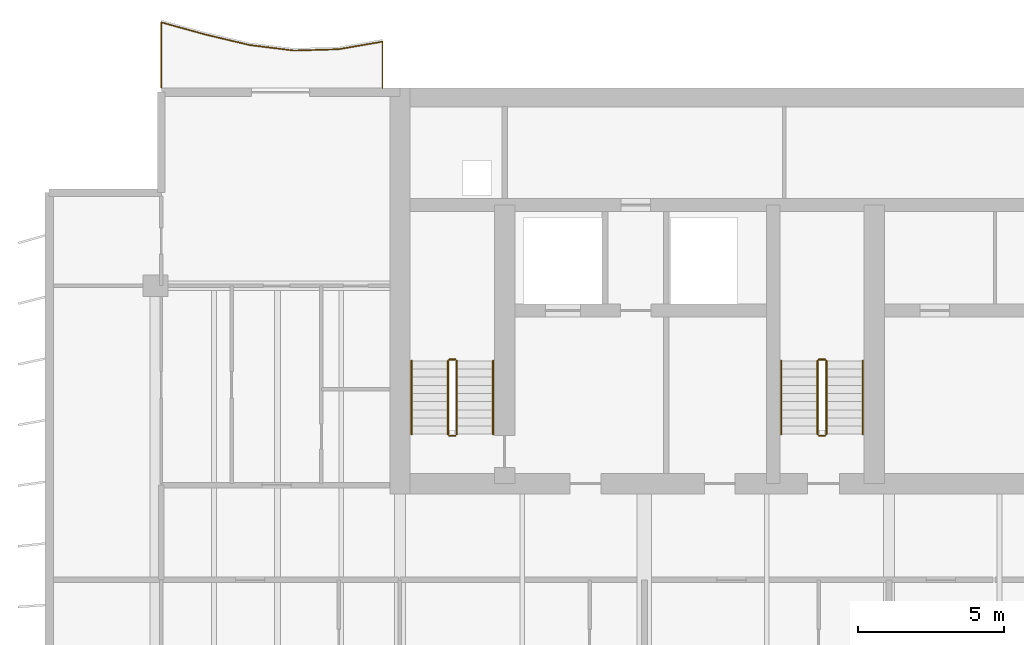
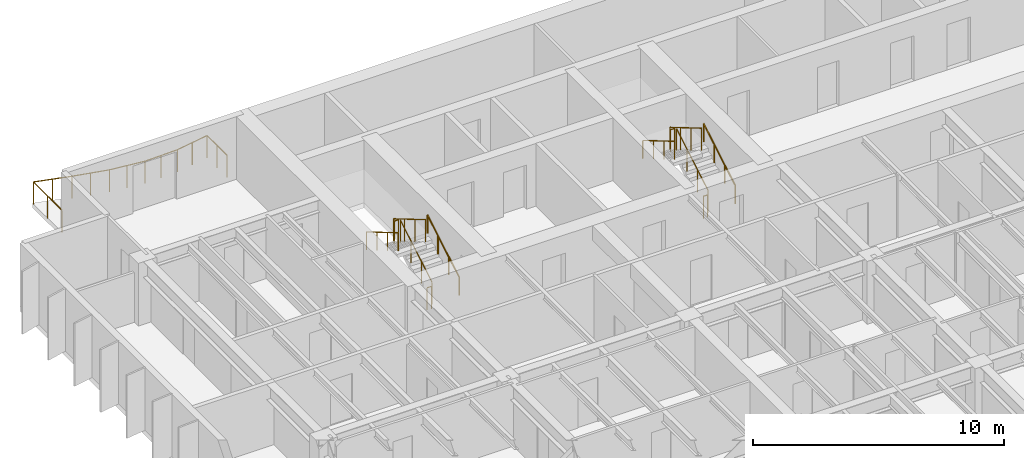
# One storey, part 17 of 19: 13 railings.
"""IFC4 building model written with IfcOpenShell, lengths in metres."""

import ifcopenshell
import ifcopenshell.guid

model = None  # the IFC model being written
_history = None  # IfcOwnerHistory: only IFC2X3 demands one
_inside = {}  # id of a spatial element -> (the spatial element, [elements in it])
_under = {}  # id of a project, library or spatial element -> (it, [spatial elements below it])
_declared = {}  # id of a project -> (the project, [libraries it declares])
_typed = {}  # id of a type object -> (the type object, [elements of that type])
_made_of = {}  # id of a material, layer set ... -> (it, [elements and type objects made of it])


def new_model(schema):
    """Start an empty IFC model of exactly this schema.

    Asked for "IFC4X3", IfcOpenShell would pick the latest addendum, in which some entities
    have other attributes; the version numbers below select the first issue.
    IFC2X3 requires an IfcOwnerHistory on every rooted entity: one is made here for all.
    """
    global model, _history
    if schema == "IFC4X3":
        model = ifcopenshell.file(schema_version=(4, 3, 0, 0))
    else:
        model = ifcopenshell.file(schema=schema)
    _inside.clear()
    _under.clear()
    _declared.clear()
    _typed.clear()
    _made_of.clear()
    _history = None
    if model.schema == "IFC2X3":
        org = make("IfcOrganization", Name="unknown")
        user = make(
            "IfcPersonAndOrganization",
            ThePerson=make("IfcPerson", FamilyName="unknown"),
            TheOrganization=org,
        )
        app = make(
            "IfcApplication",
            ApplicationDeveloper=org,
            Version="unknown",
            ApplicationFullName="unknown",
            ApplicationIdentifier="unknown",
        )
        _history = make(
            "IfcOwnerHistory",
            OwningUser=user,
            OwningApplication=app,
            ChangeAction="ADDED",
            CreationDate=0,
        )
    return model


def make(cls, **values):
    """One entity of the class cls with the attributes given. An attribute that is None is left unset."""
    return model.create_entity(
        cls, **{name: value for name, value in values.items() if value is not None}
    )


def rooted(cls, **values):
    """An entity with a GlobalId (a new one), such as an element, a storey or a relation."""
    return make(cls, GlobalId=ifcopenshell.guid.new(), OwnerHistory=_history, **values)


def si_unit(unit_type, name, prefix=None):
    """IfcSIUnit, for example si_unit("LENGTHUNIT", "METRE", prefix="MILLI")."""
    return make("IfcSIUnit", UnitType=unit_type, Prefix=prefix, Name=name)


def assignment(units):
    """IfcUnitAssignment: the units of a project."""
    return None if units is None else make("IfcUnitAssignment", Units=units)


def point(xyz):
    """IfcCartesianPoint."""
    return None if xyz is None else make("IfcCartesianPoint", Coordinates=xyz)


def direction(xyz):
    """IfcDirection."""
    return None if xyz is None else make("IfcDirection", DirectionRatios=xyz)


def frame(location, z_axis=None, x_axis=None):
    """IfcAxis2Placement3D, a coordinate frame: its origin and axes. An axis left out is left unset."""
    return make(
        "IfcAxis2Placement3D",
        Location=point(location),
        Axis=direction(z_axis),
        RefDirection=direction(x_axis),
    )


def frame_2d(location, x_axis=None):
    """IfcAxis2Placement2D, a coordinate frame in the plane: its origin and x axis."""
    return make(
        "IfcAxis2Placement2D", Location=point(location), RefDirection=direction(x_axis)
    )


def origin():
    """The frame at (0, 0, 0) with its axes left unset."""
    return frame((0.0, 0.0, 0.0))


def origin_2d():
    """The frame at (0, 0) in the plane with its x axis left unset."""
    return frame_2d((0.0, 0.0))


def place(relative_to, where):
    """IfcLocalPlacement: puts the frame where relative to a parent placement (None: the world)."""
    return make(
        "IfcLocalPlacement", PlacementRelTo=relative_to, RelativePlacement=where
    )


def context(
    kind, dimensions, precision=None, world=None, true_north=None, identifier=None
):
    """IfcGeometricRepresentationContext, for example the 3D "Model" context."""
    return make(
        "IfcGeometricRepresentationContext",
        ContextIdentifier=identifier,
        ContextType=kind,
        CoordinateSpaceDimension=dimensions,
        Precision=precision,
        WorldCoordinateSystem=world,
        TrueNorth=true_north,
    )


def subcontext(parent, identifier, kind, view, scale=None):
    """IfcGeometricRepresentationSubContext, for example "Body" below "Model"."""
    return make(
        "IfcGeometricRepresentationSubContext",
        ContextIdentifier=identifier,
        ContextType=kind,
        ParentContext=parent,
        TargetScale=scale,
        TargetView=view,
    )


def project(units=None, contexts=None):
    """IfcProject with its units and contexts."""
    return rooted(
        "IfcProject",
        Name="project",
        RepresentationContexts=contexts,
        UnitsInContext=assignment(units),
    )


def spatial(cls, under=None, at=None, **own):
    """A site, building, storey or space (cls), placed at a placement, below another one or the project."""
    s = rooted(cls, ObjectPlacement=at, **own)
    if under is not None:
        _under.setdefault(under.id(), (under, []))[1].append(s)
    return s


def profile(cls, at=None, kind="AREA", **sizes):
    """A parametric profile (cls). Its sizes go by their IFC names, for example OverallWidth=200.0."""
    return make(cls, ProfileType=kind, Position=at, **sizes)


def circle(**sizes):
    """IfcCircleProfileDef."""
    return profile("IfcCircleProfileDef", **sizes)


def extrude(swept, where, along, depth):
    """IfcExtrudedAreaSolid: the profile swept, set in the frame where, extruded along a direction by depth."""
    return make(
        "IfcExtrudedAreaSolid",
        SweptArea=swept,
        Position=where,
        ExtrudedDirection=direction(along),
        Depth=depth,
    )


def shape(context_of_items, identifier, shape_type, items):
    """IfcShapeRepresentation: the items that make up one representation, for example the "Body"."""
    return make(
        "IfcShapeRepresentation",
        ContextOfItems=context_of_items,
        RepresentationIdentifier=identifier,
        RepresentationType=shape_type,
        Items=items,
    )


def material(Name=None, Category=None):
    """IfcMaterial."""
    return make("IfcMaterial", Name=Name, Category=Category)


def made_of(thing, what):
    """Note that an element or type object is made of a material, layer set ...; save() writes the relation."""
    if what is not None:
        _made_of.setdefault(what.id(), (what, []))[1].append(thing)
    return thing


def type_object(cls, material=None, **own):
    """A type object (cls), such as IfcWallType, which elements share."""
    return made_of(rooted(cls, **own), material)


def element(
    cls,
    number,
    at=None,
    inside=None,
    cuts=None,
    type_object=None,
    material=None,
    context=None,
    identifier="Body",
    shape_type=None,
    held_by="IfcProductDefinitionShape",
    body=None,
    shapes=None,
    **own,
):
    """One element of the class cls, such as IfcWall. Its Tag is "e" and its number.

    at: its placement. inside: the storey or other place that contains it. cuts: it is an
    opening in that element (IfcRelVoidsElement). A single representation is given by context,
    identifier, shape_type and body (its items); several are given by shapes. held_by: the class
    of the entity that holds the representations. save() writes the other relations.
    """
    e = rooted(cls, Tag="e%d" % number, ObjectPlacement=at, **own)
    if body is not None:
        shapes = [shape(context, identifier, shape_type, body)]
    if shapes is not None:
        e.Representation = make(held_by, Representations=shapes)
    if inside is not None:
        _inside.setdefault(inside.id(), (inside, []))[1].append(e)
    if cuts is not None:
        rooted(
            "IfcRelVoidsElement", RelatingBuildingElement=cuts, RelatedOpeningElement=e
        )
    if type_object is not None:
        _typed.setdefault(type_object.id(), (type_object, []))[1].append(e)
    return made_of(e, material)


def aggregate(whole, parts):
    """IfcRelAggregates: a whole, such as a stair, and the parts it consists of."""
    return rooted("IfcRelAggregates", RelatingObject=whole, RelatedObjects=parts)


def save(model, path):
    """Write the relations noted so far, then the file.

    IfcRelAggregates (storeys below a building ...), IfcRelContainedInSpatialStructure (elements
    in a storey), IfcRelDefinesByType, IfcRelAssociatesMaterial and IfcRelDeclares: one each for
    every whole, place, type object, material and project.
    """
    for whole, parts in _under.values():
        aggregate(whole, parts)
    for where, things in _inside.values():
        rooted(
            "IfcRelContainedInSpatialStructure",
            RelatedElements=things,
            RelatingStructure=where,
        )
    for kind, things in _typed.values():
        rooted("IfcRelDefinesByType", RelatedObjects=things, RelatingType=kind)
    for what, things in _made_of.values():
        rooted("IfcRelAssociatesMaterial", RelatedObjects=things, RelatingMaterial=what)
    for by, libraries in _declared.values():
        rooted("IfcRelDeclares", RelatingContext=by, RelatedDefinitions=libraries)
    model.write(path)


model = new_model("IFC4")

# Units and contexts
model_context = context("Model", 3, precision=1e-05, world=origin(), true_north=direction((0.0, 1.0)))
body_context = subcontext(model_context, "Body", "Model", "MODEL_VIEW")
ifc_project = project(units=[si_unit("LENGTHUNIT", "METRE"), si_unit("AREAUNIT", "SQUARE_METRE"), si_unit("VOLUMEUNIT", "CUBIC_METRE"), si_unit("PLANEANGLEUNIT", "RADIAN"), si_unit("MASSUNIT", "GRAM", prefix="KILO")], contexts=[model_context])

# Site, building, storey
site_placement = place(None, origin())
site = spatial("IfcSite", under=ifc_project, at=site_placement, CompositionType="ELEMENT")
building_placement = place(site_placement, origin())
building = spatial("IfcBuilding", under=site, at=building_placement, Name="Caelmar Bay Residences", CompositionType="ELEMENT")
storey_placement = place(building_placement, frame((0.0, 0.0, 163.800048828125)))
storey = spatial("IfcBuildingStorey", under=building, at=storey_placement, Name="L45", CompositionType="ELEMENT", Elevation=163.800048828125)

# Railings
ifc_material_1 = material(Name="Anodised bronze handrail with laminated hurricane glass infill", Category="glass")
railing_type_1 = type_object("IfcRailingType", Name="RL-BAL-1100", PredefinedType="BALUSTRADE", material=ifc_material_1)
railing_1_placement = place(storey_placement, frame((17.699951171875, 50.60009765625, 0.0)))
element("IfcRailing", 1, at=railing_1_placement, inside=storey, type_object=railing_type_1, Name="L45 north_west Balcony Balustrade", PredefinedType="BALUSTRADE", context=body_context, shape_type="SweptSolid", body=[
    extrude(circle(Radius=0.02392578125, at=origin_2d()), frame((0.0, 0.0, 1.076171875), z_axis=(0.0, 1.0, 0.0), x_axis=(-1.0, 0.0, 0.0)), (0.0, 0.0, 1.0), 1.588134765625),
    extrude(circle(Radius=0.02392578125, at=origin_2d()), frame((0.0, 1.588134765625, 1.076171875), z_axis=(-0.985445490472, -0.169991721293, 0.0), x_axis=(0.169991721293, -0.985445490472, 0.0)), (0.0, 0.0, 1.0), 1.54248046875),
    extrude(circle(Radius=0.02392578125, at=origin_2d()), frame((-1.52001953125, 1.325927734375, 1.076171875), z_axis=(-0.999582338318, -0.028898943286, 0.0), x_axis=(0.028898943286, -0.999582338318, 0.0)), (0.0, 0.0, 1.0), 1.520751953125),
    extrude(circle(Radius=0.02392578125, at=origin_2d()), frame((-3.0400390625, 1.281982421875, 1.076171875), z_axis=(-0.992419457445, 0.122896787936, 0.0), x_axis=(-0.122896787936, -0.992419457445, 0.0)), (0.0, 0.0, 1.0), 1.53173828125),
    extrude(circle(Radius=0.02392578125, at=origin_2d()), frame((-4.56005859375, 1.47021484375, 1.076171875), z_axis=(-0.972916782402, 0.231155649987, 0.0), x_axis=(-0.231155649987, -0.972916782402, 0.0)), (0.0, 0.0, 1.0), 1.56201171875),
    extrude(circle(Radius=0.02392578125, at=origin_2d()), frame((-6.079833984375, 1.831298828125, 1.076171875), z_axis=(-0.96381450531, 0.266573815956, 0.0), x_axis=(-0.266573815956, -0.96381450531, 0.0)), (0.0, 0.0, 1.0), 1.5771484375),
    extrude(circle(Radius=0.02392578125, at=origin_2d()), frame((-7.599853515625, 2.251708984375, 1.076171875), z_axis=(0.0, -1.0, 0.0), x_axis=(1.0, 0.0, 0.0)), (0.0, 0.0, 1.0), 2.251708984375),
    extrude(circle(Radius=0.02099609375, at=origin_2d()), origin(), (0.0, 0.0, 1.0), 1.052001953125),
    extrude(circle(Radius=0.02099609375, at=origin_2d()), frame((0.0, 0.7939453125, 0.0)), (0.0, 0.0, 1.0), 1.052001953125),
    extrude(circle(Radius=0.02099609375, at=origin_2d()), frame((0.0, 1.588134765625, 0.0)), (0.0, 0.0, 1.0), 1.052001953125),
    extrude(circle(Radius=0.02099609375, at=origin_2d()), frame((-0.760009765625, 1.45703125, 0.0)), (0.0, 0.0, 1.0), 1.052001953125),
    extrude(circle(Radius=0.02099609375, at=origin_2d()), frame((-1.52001953125, 1.325927734375, 0.0)), (0.0, 0.0, 1.0), 1.052001953125),
    extrude(circle(Radius=0.02099609375, at=origin_2d()), frame((-2.280029296875, 1.303955078125, 0.0)), (0.0, 0.0, 1.0), 1.052001953125),
    extrude(circle(Radius=0.02099609375, at=origin_2d()), frame((-3.0400390625, 1.281982421875, 0.0)), (0.0, 0.0, 1.0), 1.052001953125),
    extrude(circle(Radius=0.02099609375, at=origin_2d()), frame((-3.800048828125, 1.3759765625, 0.0)), (0.0, 0.0, 1.0), 1.052001953125),
    extrude(circle(Radius=0.02099609375, at=origin_2d()), frame((-4.56005859375, 1.47021484375, 0.0)), (0.0, 0.0, 1.0), 1.052001953125),
    extrude(circle(Radius=0.02099609375, at=origin_2d()), frame((-5.31982421875, 1.65087890625, 0.0)), (0.0, 0.0, 1.0), 1.052001953125),
    extrude(circle(Radius=0.02099609375, at=origin_2d()), frame((-6.079833984375, 1.831298828125, 0.0)), (0.0, 0.0, 1.0), 1.052001953125),
    extrude(circle(Radius=0.02099609375, at=origin_2d()), frame((-6.83984375, 2.04150390625, 0.0)), (0.0, 0.0, 1.0), 1.052001953125),
    extrude(circle(Radius=0.02099609375, at=origin_2d()), frame((-7.599853515625, 2.251708984375, 0.0)), (0.0, 0.0, 1.0), 1.052001953125),
    extrude(circle(Radius=0.02099609375, at=origin_2d()), frame((-7.599853515625, 1.1259765625, 0.0)), (0.0, 0.0, 1.0), 1.052001953125),
    extrude(circle(Radius=0.02099609375, at=origin_2d()), frame((-7.599853515625, 0.0, 0.0)), (0.0, 0.0, 1.0), 1.052001953125),
])
ifc_material_2 = material(Name="Painted galvanized steel stair guard 1100 mm", Category="steel")
railing_type_2 = type_object("IfcRailingType", Name="RL-GRD-1100", PredefinedType="GUARDRAIL", material=ifc_material_2)
railing_2_placement = place(storey_placement, frame((20.25, 38.699951171875, 0.1650390625)))
element("IfcRailing", 2, at=railing_2_placement, inside=storey, type_object=railing_type_2, Name="L45 ST1 stair guard 1", PredefinedType="GUARDRAIL", context=body_context, shape_type="SweptSolid", body=[
    extrude(circle(Radius=0.02392578125, at=origin_2d()), frame((0.0, 0.0, 1.076171875), z_axis=(0.0, 0.861560626758, 0.507654692109), x_axis=(-1.0, 0.0, 0.0)), (0.0, 0.0, 1.0), 2.925048828125),
    extrude(circle(Radius=0.02099609375, at=origin_2d()), origin(), (0.0, 0.0, 1.0), 1.052001953125),
    extrude(circle(Radius=0.02099609375, at=origin_2d()), frame((0.0, 0.840087890625, 0.494873046875)), (0.0, 0.0, 1.0), 1.052001953125),
    extrude(circle(Radius=0.02099609375, at=origin_2d()), frame((0.0, 1.679931640625, 0.989990234375)), (0.0, 0.0, 1.0), 1.052001953125),
    extrude(circle(Radius=0.02099609375, at=origin_2d()), frame((0.0, 2.52001953125, 1.48486328125)), (0.0, 0.0, 1.0), 1.052001953125),
])
railing_3_placement = place(storey_placement, frame((20.199951171875, 41.27001953125, 1.64990234375)))
element("IfcRailing", 3, at=railing_3_placement, inside=storey, type_object=railing_type_2, Name="L45 ST1 stair guard 2", PredefinedType="GUARDRAIL", context=body_context, shape_type="SweptSolid", body=[
    extrude(circle(Radius=0.02392578125, at=origin_2d()), frame((0.0, 0.0, 1.076171875), z_axis=(-1.0, 0.0, 0.0), x_axis=(0.0, -1.0, 0.0)), (0.0, 0.0, 1.0), 0.199951171875),
    extrude(circle(Radius=0.02099609375, at=origin_2d()), origin(), (0.0, 0.0, 1.0), 1.052001953125),
    extrude(circle(Radius=0.02099609375, at=origin_2d()), frame((-0.199951171875, 0.0, 0.0)), (0.0, 0.0, 1.0), 1.052001953125),
])
railing_4_placement = place(storey_placement, frame((19.949951171875, 41.219970703125, 1.81494140625)))
element("IfcRailing", 4, at=railing_4_placement, inside=storey, type_object=railing_type_2, Name="L45 ST1 stair guard 3", PredefinedType="GUARDRAIL", context=body_context, shape_type="SweptSolid", body=[
    extrude(circle(Radius=0.02392578125, at=origin_2d()), frame((0.0, 0.0, 1.076171875), z_axis=(0.0, -0.86152411907, 0.507716645641), x_axis=(1.0, 0.0, 0.0)), (0.0, 0.0, 1.0), 2.925048828125),
    extrude(circle(Radius=0.02099609375, at=origin_2d()), origin(), (0.0, 0.0, 1.0), 1.052001953125),
    extrude(circle(Radius=0.02099609375, at=origin_2d()), frame((0.0, -0.840087890625, 0.4951171875)), (0.0, 0.0, 1.0), 1.052001953125),
    extrude(circle(Radius=0.02099609375, at=origin_2d()), frame((0.0, -1.679931640625, 0.989990234375)), (0.0, 0.0, 1.0), 1.052001953125),
    extrude(circle(Radius=0.02099609375, at=origin_2d()), frame((0.0, -2.52001953125, 1.485107421875)), (0.0, 0.0, 1.0), 1.052001953125),
])
railing_5_placement = place(storey_placement, frame((20.199951171875, 38.64990234375, 0.0)))
element("IfcRailing", 5, at=railing_5_placement, inside=storey, type_object=railing_type_2, Name="L45 ST1 stair guard 4", PredefinedType="GUARDRAIL", context=body_context, shape_type="SweptSolid", body=[
    extrude(circle(Radius=0.02392578125, at=origin_2d()), frame((0.0, 0.0, 1.076171875), z_axis=(-1.0, 0.0, 0.0), x_axis=(0.0, -1.0, 0.0)), (0.0, 0.0, 1.0), 0.199951171875),
    extrude(circle(Radius=0.02099609375, at=origin_2d()), origin(), (0.0, 0.0, 1.0), 1.052001953125),
    extrude(circle(Radius=0.02099609375, at=origin_2d()), frame((-0.199951171875, 0.0, 0.0)), (0.0, 0.0, 1.0), 1.052001953125),
])
railing_6_placement = place(storey_placement, frame((32.949951171875, 38.699951171875, 0.1650390625)))
element("IfcRailing", 6, at=railing_6_placement, inside=storey, type_object=railing_type_2, Name="L45 ST3 stair guard 1", PredefinedType="GUARDRAIL", context=body_context, shape_type="SweptSolid", body=[
    extrude(circle(Radius=0.02392578125, at=origin_2d()), frame((0.0, 0.0, 1.076171875), z_axis=(0.0, 0.861560626758, 0.507654692109), x_axis=(-1.0, 0.0, 0.0)), (0.0, 0.0, 1.0), 2.925048828125),
    extrude(circle(Radius=0.02099609375, at=origin_2d()), origin(), (0.0, 0.0, 1.0), 1.052001953125),
    extrude(circle(Radius=0.02099609375, at=origin_2d()), frame((0.0, 0.840087890625, 0.494873046875)), (0.0, 0.0, 1.0), 1.052001953125),
    extrude(circle(Radius=0.02099609375, at=origin_2d()), frame((0.0, 1.679931640625, 0.989990234375)), (0.0, 0.0, 1.0), 1.052001953125),
    extrude(circle(Radius=0.02099609375, at=origin_2d()), frame((0.0, 2.52001953125, 1.48486328125)), (0.0, 0.0, 1.0), 1.052001953125),
])
railing_7_placement = place(storey_placement, frame((32.89990234375, 41.27001953125, 1.64990234375)))
element("IfcRailing", 7, at=railing_7_placement, inside=storey, type_object=railing_type_2, Name="L45 ST3 stair guard 2", PredefinedType="GUARDRAIL", context=body_context, shape_type="SweptSolid", body=[
    extrude(circle(Radius=0.02392578125, at=origin_2d()), frame((0.0, 0.0, 1.076171875), z_axis=(-1.0, 0.0, 0.0), x_axis=(0.0, -1.0, 0.0)), (0.0, 0.0, 1.0), 0.199951171875),
    extrude(circle(Radius=0.02099609375, at=origin_2d()), origin(), (0.0, 0.0, 1.0), 1.052001953125),
    extrude(circle(Radius=0.02099609375, at=origin_2d()), frame((-0.199951171875, 0.0, 0.0)), (0.0, 0.0, 1.0), 1.052001953125),
])
railing_8_placement = place(storey_placement, frame((32.64990234375, 41.219970703125, 1.81494140625)))
element("IfcRailing", 8, at=railing_8_placement, inside=storey, type_object=railing_type_2, Name="L45 ST3 stair guard 3", PredefinedType="GUARDRAIL", context=body_context, shape_type="SweptSolid", body=[
    extrude(circle(Radius=0.02392578125, at=origin_2d()), frame((0.0, 0.0, 1.076171875), z_axis=(0.0, -0.86152411907, 0.507716645641), x_axis=(1.0, 0.0, 0.0)), (0.0, 0.0, 1.0), 2.925048828125),
    extrude(circle(Radius=0.02099609375, at=origin_2d()), origin(), (0.0, 0.0, 1.0), 1.052001953125),
    extrude(circle(Radius=0.02099609375, at=origin_2d()), frame((0.0, -0.840087890625, 0.4951171875)), (0.0, 0.0, 1.0), 1.052001953125),
    extrude(circle(Radius=0.02099609375, at=origin_2d()), frame((0.0, -1.679931640625, 0.989990234375)), (0.0, 0.0, 1.0), 1.052001953125),
    extrude(circle(Radius=0.02099609375, at=origin_2d()), frame((0.0, -2.52001953125, 1.485107421875)), (0.0, 0.0, 1.0), 1.052001953125),
])
railing_9_placement = place(storey_placement, frame((32.89990234375, 38.64990234375, 0.0)))
element("IfcRailing", 9, at=railing_9_placement, inside=storey, type_object=railing_type_2, Name="L45 ST3 stair guard 4", PredefinedType="GUARDRAIL", context=body_context, shape_type="SweptSolid", body=[
    extrude(circle(Radius=0.02392578125, at=origin_2d()), frame((0.0, 0.0, 1.076171875), z_axis=(-1.0, 0.0, 0.0), x_axis=(0.0, -1.0, 0.0)), (0.0, 0.0, 1.0), 0.199951171875),
    extrude(circle(Radius=0.02099609375, at=origin_2d()), origin(), (0.0, 0.0, 1.0), 1.052001953125),
    extrude(circle(Radius=0.02099609375, at=origin_2d()), frame((-0.199951171875, 0.0, 0.0)), (0.0, 0.0, 1.0), 1.052001953125),
])
ifc_material_3 = material(Name="Brushed bronze stainless-steel tubular handrail 900 mm", Category="steel")
railing_type_3 = type_object("IfcRailingType", Name="RL-HND-900", PredefinedType="HANDRAIL", material=ifc_material_3)
railing_10_placement = place(storey_placement, frame((21.5, 38.699951171875, 0.1650390625)))
element("IfcRailing", 10, at=railing_10_placement, inside=storey, type_object=railing_type_3, Name="L45 ST1 stair handrail 1", PredefinedType="HANDRAIL", context=body_context, shape_type="SweptSolid", body=[
    extrude(circle(Radius=0.02392578125, at=origin_2d()), frame((0.0, 0.0, 0.8759765625), z_axis=(0.0, 0.861560626758, 0.507654692109), x_axis=(-1.0, 0.0, 0.0)), (0.0, 0.0, 1.0), 2.925048828125),
    extrude(circle(Radius=0.02099609375, at=origin_2d()), origin(), (0.0, 0.0, 1.0), 0.851806640625),
    extrude(circle(Radius=0.02099609375, at=origin_2d()), frame((0.0, 0.840087890625, 0.494873046875)), (0.0, 0.0, 1.0), 0.851806640625),
    extrude(circle(Radius=0.02099609375, at=origin_2d()), frame((0.0, 1.679931640625, 0.989990234375)), (0.0, 0.0, 1.0), 0.851806640625),
    extrude(circle(Radius=0.02099609375, at=origin_2d()), frame((0.0, 2.52001953125, 1.48486328125)), (0.0, 0.0, 1.0), 0.851806640625),
])
railing_11_placement = place(storey_placement, frame((18.699951171875, 41.219970703125, 1.81494140625)))
element("IfcRailing", 11, at=railing_11_placement, inside=storey, type_object=railing_type_3, Name="L45 ST1 stair handrail 2", PredefinedType="HANDRAIL", context=body_context, shape_type="SweptSolid", body=[
    extrude(circle(Radius=0.02392578125, at=origin_2d()), frame((0.0, 0.0, 0.8759765625), z_axis=(0.0, -0.86152411907, 0.507716645641), x_axis=(1.0, 0.0, 0.0)), (0.0, 0.0, 1.0), 2.925048828125),
    extrude(circle(Radius=0.02099609375, at=origin_2d()), origin(), (0.0, 0.0, 1.0), 0.851806640625),
    extrude(circle(Radius=0.02099609375, at=origin_2d()), frame((0.0, -0.840087890625, 0.4951171875)), (0.0, 0.0, 1.0), 0.851806640625),
    extrude(circle(Radius=0.02099609375, at=origin_2d()), frame((0.0, -1.679931640625, 0.989990234375)), (0.0, 0.0, 1.0), 0.851806640625),
    extrude(circle(Radius=0.02099609375, at=origin_2d()), frame((0.0, -2.52001953125, 1.485107421875)), (0.0, 0.0, 1.0), 0.851806640625),
])
railing_12_placement = place(storey_placement, frame((34.199951171875, 38.699951171875, 0.1650390625)))
element("IfcRailing", 12, at=railing_12_placement, inside=storey, type_object=railing_type_3, Name="L45 ST3 stair handrail 1", PredefinedType="HANDRAIL", context=body_context, shape_type="SweptSolid", body=[
    extrude(circle(Radius=0.02392578125, at=origin_2d()), frame((0.0, 0.0, 0.8759765625), z_axis=(0.0, 0.861560626758, 0.507654692109), x_axis=(-1.0, 0.0, 0.0)), (0.0, 0.0, 1.0), 2.925048828125),
    extrude(circle(Radius=0.02099609375, at=origin_2d()), origin(), (0.0, 0.0, 1.0), 0.851806640625),
    extrude(circle(Radius=0.02099609375, at=origin_2d()), frame((0.0, 0.840087890625, 0.494873046875)), (0.0, 0.0, 1.0), 0.851806640625),
    extrude(circle(Radius=0.02099609375, at=origin_2d()), frame((0.0, 1.679931640625, 0.989990234375)), (0.0, 0.0, 1.0), 0.851806640625),
    extrude(circle(Radius=0.02099609375, at=origin_2d()), frame((0.0, 2.52001953125, 1.48486328125)), (0.0, 0.0, 1.0), 0.851806640625),
])
railing_13_placement = place(storey_placement, frame((31.39990234375, 41.219970703125, 1.81494140625)))
element("IfcRailing", 13, at=railing_13_placement, inside=storey, type_object=railing_type_3, Name="L45 ST3 stair handrail 2", PredefinedType="HANDRAIL", context=body_context, shape_type="SweptSolid", body=[
    extrude(circle(Radius=0.02392578125, at=origin_2d()), frame((0.0, 0.0, 0.8759765625), z_axis=(0.0, -0.86152411907, 0.507716645641), x_axis=(1.0, 0.0, 0.0)), (0.0, 0.0, 1.0), 2.925048828125),
    extrude(circle(Radius=0.02099609375, at=origin_2d()), origin(), (0.0, 0.0, 1.0), 0.851806640625),
    extrude(circle(Radius=0.02099609375, at=origin_2d()), frame((0.0, -0.840087890625, 0.4951171875)), (0.0, 0.0, 1.0), 0.851806640625),
    extrude(circle(Radius=0.02099609375, at=origin_2d()), frame((0.0, -1.679931640625, 0.989990234375)), (0.0, 0.0, 1.0), 0.851806640625),
    extrude(circle(Radius=0.02099609375, at=origin_2d()), frame((0.0, -2.52001953125, 1.485107421875)), (0.0, 0.0, 1.0), 0.851806640625),
])

save(model, "model.ifc")
